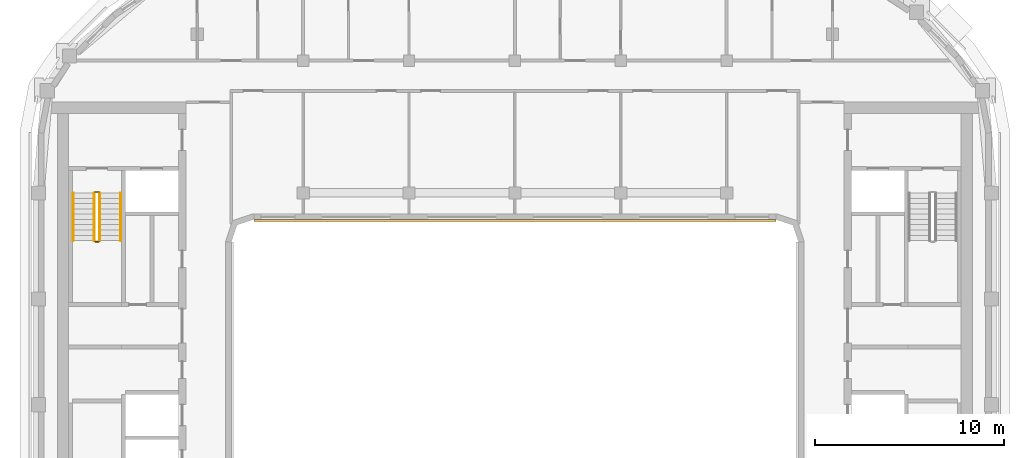
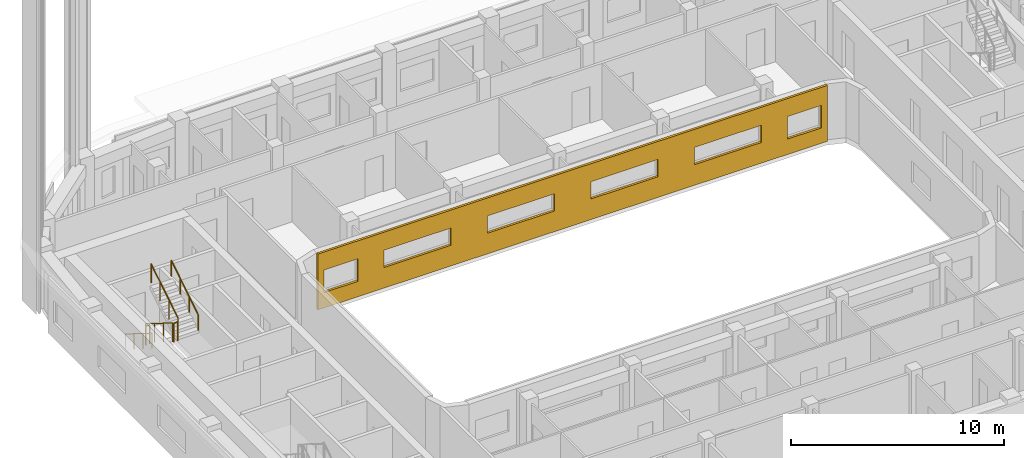
# One storey, part 11 of 15: 6 railings, 1 covering.
"""IFC4 building model written with IfcOpenShell, lengths in metres."""

from ifc_helpers import new_model, si_unit, direction, frame, origin, origin_2d, place, context, subcontext, project, spatial, polyline, circle, outline, extrude, material, layer, layer_set, type_object, element, save


model = new_model("IFC4")

# Units and contexts
model_context = context("Model", 3, precision=1e-05, world=origin(), true_north=direction((0.0, 1.0)))
body_context = subcontext(model_context, "Body", "Model", "MODEL_VIEW")
ifc_project = project(units=[si_unit("LENGTHUNIT", "METRE"), si_unit("AREAUNIT", "SQUARE_METRE"), si_unit("VOLUMEUNIT", "CUBIC_METRE"), si_unit("PLANEANGLEUNIT", "RADIAN"), si_unit("MASSUNIT", "GRAM", prefix="KILO")], contexts=[model_context])

# Site, building, storey
site_placement = place(None, origin())
site = spatial("IfcSite", under=ifc_project, at=site_placement, CompositionType="ELEMENT")
building_placement = place(site_placement, origin())
building = spatial("IfcBuilding", under=site, at=building_placement, Name="Kiln Ring Residences", CompositionType="ELEMENT")
storey_placement = place(building_placement, frame((0.0, 0.0, 266.199951171875)))
storey = spatial("IfcBuildingStorey", under=building, at=storey_placement, Name="L69", CompositionType="ELEMENT", Elevation=266.199951171875)

# Railings
ifc_material_1 = material(Name="Stainless steel", Category="steel")
railing_type_1 = type_object("IfcRailingType", Name="CORE-STAIR-GUARD", PredefinedType="GUARDRAIL", material=ifc_material_1)
railing_1_placement = place(storey_placement, frame((-22.25, 8.39990234375, 0.175048828125)))
element("IfcRailing", 1, at=railing_1_placement, inside=storey, type_object=railing_type_1, Name="L69 W-STN stair guard 1", PredefinedType="GUARDRAIL", context=body_context, shape_type="SweptSolid", body=[
    extrude(circle(Radius=0.02392578125, at=origin_2d()), frame((0.0, 0.0, 1.076171875), z_axis=(0.0, -0.848007534815, 0.529984170421), x_axis=(1.0, 0.0, 0.0)), (0.0, 0.0, 1.0), 2.9716796875),
    extrude(circle(Radius=0.02099609375, at=origin_2d()), origin(), (0.0, 0.0, 1.0), 1.052001953125),
    extrude(circle(Radius=0.02099609375, at=origin_2d()), frame((0.0, -0.840087890625, 0.52490234375)), (0.0, 0.0, 1.0), 1.052001953125),
    extrude(circle(Radius=0.02099609375, at=origin_2d()), frame((0.0, -1.679931640625, 1.050048828125)), (0.0, 0.0, 1.0), 1.052001953125),
    extrude(circle(Radius=0.02099609375, at=origin_2d()), frame((0.0, -2.52001953125, 1.574951171875)), (0.0, 0.0, 1.0), 1.052001953125),
])
railing_2_placement = place(storey_placement, frame((-22.199951171875, 5.830078125, 1.75)))
element("IfcRailing", 2, at=railing_2_placement, inside=storey, type_object=railing_type_1, Name="L69 W-STN stair guard 2", PredefinedType="GUARDRAIL", context=body_context, shape_type="SweptSolid", body=[
    extrude(circle(Radius=0.02392578125, at=origin_2d()), frame((0.0, 0.0, 1.076171875), z_axis=(1.0, 0.0, 0.0), x_axis=(0.0, 1.0, 0.0)), (0.0, 0.0, 1.0), 0.199951171875),
    extrude(circle(Radius=0.02099609375, at=origin_2d()), origin(), (0.0, 0.0, 1.0), 1.052001953125),
    extrude(circle(Radius=0.02099609375, at=origin_2d()), frame((0.199951171875, 0.0, 0.0)), (0.0, 0.0, 1.0), 1.052001953125),
])
railing_3_placement = place(storey_placement, frame((-21.949951171875, 5.8798828125, 1.925048828125)))
element("IfcRailing", 3, at=railing_3_placement, inside=storey, type_object=railing_type_1, Name="L69 W-STN stair guard 3", PredefinedType="GUARDRAIL", context=body_context, shape_type="SweptSolid", body=[
    extrude(circle(Radius=0.02392578125, at=origin_2d()), frame((0.0, 0.0, 1.076171875), z_axis=(0.0, 0.848007534815, 0.529984170421), x_axis=(-1.0, 0.0, 0.0)), (0.0, 0.0, 1.0), 2.9716796875),
    extrude(circle(Radius=0.02099609375, at=origin_2d()), origin(), (0.0, 0.0, 1.0), 1.052001953125),
    extrude(circle(Radius=0.02099609375, at=origin_2d()), frame((0.0, 0.840087890625, 0.52490234375)), (0.0, 0.0, 1.0), 1.052001953125),
    extrude(circle(Radius=0.02099609375, at=origin_2d()), frame((0.0, 1.679931640625, 1.050048828125)), (0.0, 0.0, 1.0), 1.052001953125),
    extrude(circle(Radius=0.02099609375, at=origin_2d()), frame((0.0, 2.52001953125, 1.574951171875)), (0.0, 0.0, 1.0), 1.052001953125),
])
railing_4_placement = place(storey_placement, frame((-22.199951171875, 8.449951171875, 0.0)))
element("IfcRailing", 4, at=railing_4_placement, inside=storey, type_object=railing_type_1, Name="L69 W-STN stair guard 4", PredefinedType="GUARDRAIL", context=body_context, shape_type="SweptSolid", body=[
    extrude(circle(Radius=0.02392578125, at=origin_2d()), frame((0.0, 0.0, 1.076171875), z_axis=(1.0, 0.0, 0.0), x_axis=(0.0, 1.0, 0.0)), (0.0, 0.0, 1.0), 0.199951171875),
    extrude(circle(Radius=0.02099609375, at=origin_2d()), origin(), (0.0, 0.0, 1.0), 1.052001953125),
    extrude(circle(Radius=0.02099609375, at=origin_2d()), frame((0.199951171875, 0.0, 0.0)), (0.0, 0.0, 1.0), 1.052001953125),
])
ifc_material_2 = material(Name="Stainless steel", Category="steel")
railing_type_2 = type_object("IfcRailingType", Name="CORE-STAIR-HANDRAIL", PredefinedType="HANDRAIL", material=ifc_material_2)
railing_5_placement = place(storey_placement, frame((-23.35009765625, 8.39990234375, 0.175048828125)))
element("IfcRailing", 5, at=railing_5_placement, inside=storey, type_object=railing_type_2, Name="L69 W-STN stair handrail 1", PredefinedType="HANDRAIL", context=body_context, shape_type="SweptSolid", body=[
    extrude(circle(Radius=0.02392578125, at=origin_2d()), frame((0.0, 0.0, 0.8759765625), z_axis=(0.0, -0.848007534815, 0.529984170421), x_axis=(1.0, 0.0, 0.0)), (0.0, 0.0, 1.0), 2.9716796875),
    extrude(circle(Radius=0.02099609375, at=origin_2d()), origin(), (0.0, 0.0, 1.0), 0.851806640625),
    extrude(circle(Radius=0.02099609375, at=origin_2d()), frame((0.0, -0.840087890625, 0.52490234375)), (0.0, 0.0, 1.0), 0.851806640625),
    extrude(circle(Radius=0.02099609375, at=origin_2d()), frame((0.0, -1.679931640625, 1.050048828125)), (0.0, 0.0, 1.0), 0.851806640625),
    extrude(circle(Radius=0.02099609375, at=origin_2d()), frame((0.0, -2.52001953125, 1.574951171875)), (0.0, 0.0, 1.0), 0.851806640625),
])
railing_6_placement = place(storey_placement, frame((-20.85009765625, 5.8798828125, 1.925048828125)))
element("IfcRailing", 6, at=railing_6_placement, inside=storey, type_object=railing_type_2, Name="L69 W-STN stair handrail 2", PredefinedType="HANDRAIL", context=body_context, shape_type="SweptSolid", body=[
    extrude(circle(Radius=0.02392578125, at=origin_2d()), frame((0.0, 0.0, 0.8759765625), z_axis=(0.0, 0.848007534815, 0.529984170421), x_axis=(-1.0, 0.0, 0.0)), (0.0, 0.0, 1.0), 2.9716796875),
    extrude(circle(Radius=0.02099609375, at=origin_2d()), origin(), (0.0, 0.0, 1.0), 0.851806640625),
    extrude(circle(Radius=0.02099609375, at=origin_2d()), frame((0.0, 0.840087890625, 0.52490234375)), (0.0, 0.0, 1.0), 0.851806640625),
    extrude(circle(Radius=0.02099609375, at=origin_2d()), frame((0.0, 1.679931640625, 1.050048828125)), (0.0, 0.0, 1.0), 0.851806640625),
    extrude(circle(Radius=0.02099609375, at=origin_2d()), frame((0.0, 2.52001953125, 1.574951171875)), (0.0, 0.0, 1.0), 0.851806640625),
])

# Covering
ifc_material_3 = material(Name="Brick masonry, dark clay brick", Category="masonry")
ifc_layer = layer(ifc_material_3, 0.1201171875)
ifc_layer_set = layer_set([ifc_layer], Name="RAINSCREEN PANEL 120")
covering_type = type_object("IfcCoveringType", Name="RAINSCREEN PANEL 120", PredefinedType="CLADDING", material=ifc_layer_set)
covering_placement = place(storey_placement, frame((-13.800048828125, 6.93994140625, 0.0), z_axis=(0.0, 0.0, 1.0), x_axis=(1.0, 0.0, 0.0)))
element("IfcCovering", 7, at=covering_placement, inside=storey, type_object=covering_type, Name="RAINSCREEN L69", PredefinedType="CLADDING", context=body_context, shape_type="SweptSolid", body=[
    extrude(outline(polyline([(0.0, 0.0), (27.60009765625, 0.0), (27.60009765625, 3.199951171875), (0.0, 3.199951171875), (0.0, 0.0)]), holes=[polyline([(2.1826171875, 0.880126953125), (2.1826171875, 2.170166015625), (0.342529296875, 2.170166015625), (0.342529296875, 0.880126953125), (2.1826171875, 0.880126953125)]), polyline([(25.41748046875, 0.880126953125), (27.257568359375, 0.880126953125), (27.257568359375, 2.170166015625), (25.41748046875, 2.170166015625), (25.41748046875, 0.880126953125)]), polyline([(3.580078125, 1.179931640625), (7.219970703125, 1.179931640625), (7.219970703125, 2.170166015625), (3.580078125, 2.170166015625), (3.580078125, 1.179931640625)]), polyline([(12.820068359375, 1.179931640625), (12.820068359375, 2.170166015625), (9.179931640625, 2.170166015625), (9.179931640625, 1.179931640625), (12.820068359375, 1.179931640625)]), polyline([(14.780029296875, 1.179931640625), (18.419921875, 1.179931640625), (18.419921875, 2.170166015625), (14.780029296875, 2.170166015625), (14.780029296875, 1.179931640625)]), polyline([(20.3798828125, 1.179931640625), (24.02001953125, 1.179931640625), (24.02001953125, 2.170166015625), (20.3798828125, 2.170166015625), (20.3798828125, 1.179931640625)])]), frame((0.0, 0.06005859375, 0.0), z_axis=(0.0, -1.0, 0.0), x_axis=(1.0, 0.0, 0.0)), (0.0, 0.0, 1.0), 0.1201171875),
])

save(model, "model.ifc")
